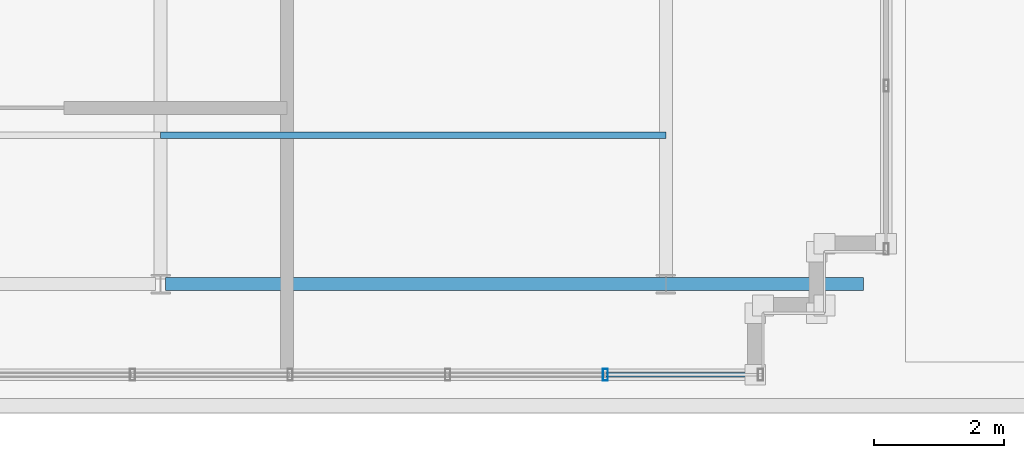
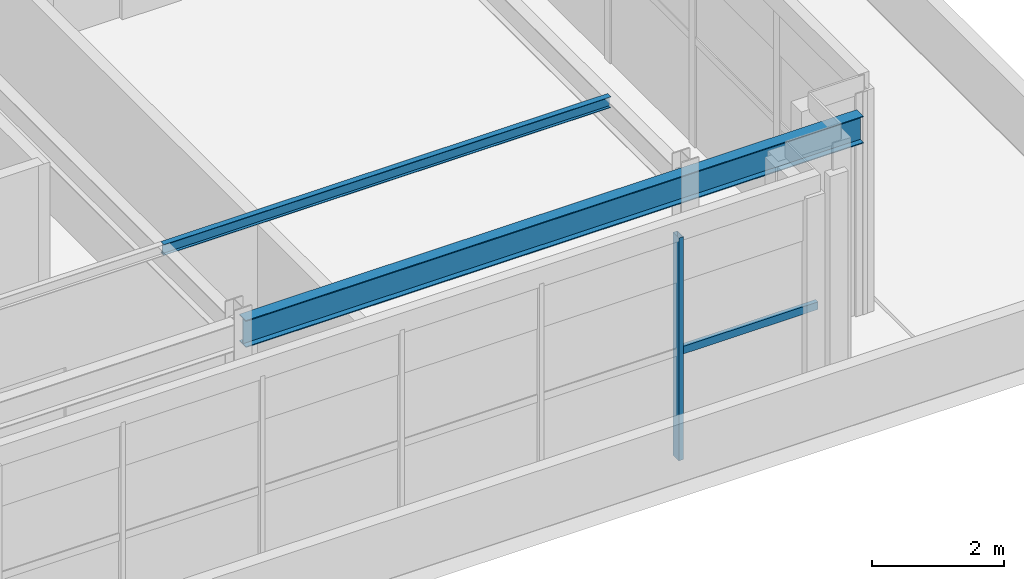
# One storey, part 4 of 28: 3 members, 1 beam, 1 element without a shape of its own.
"""IFC4 building model written with IfcOpenShell, lengths in metres."""

from ifc_helpers import new_model, si_unit, direction, frame, origin, origin_2d, place, context, subcontext, project, spatial, hollow_rectangle, i_section, extrude, source, transform, mapped, material, material_profile, profile_set, type_object, element, aggregate, save


model = new_model("IFC4")

# Units and contexts
model_context = context("Model", 3, precision=1e-05, world=origin(), true_north=direction((0.0, 1.0)))
body_context = subcontext(model_context, "Body", "Model", "MODEL_VIEW")
ifc_project = project(units=[si_unit("LENGTHUNIT", "METRE"), si_unit("AREAUNIT", "SQUARE_METRE"), si_unit("VOLUMEUNIT", "CUBIC_METRE"), si_unit("PLANEANGLEUNIT", "RADIAN"), si_unit("MASSUNIT", "GRAM", prefix="KILO")], contexts=[model_context])

# Site, building, storey
site_placement = place(None, origin())
site = spatial("IfcSite", under=ifc_project, at=site_placement, CompositionType="ELEMENT")
building_placement = place(site_placement, origin())
building = spatial("IfcBuilding", under=site, at=building_placement, Name="Trelvane Seafront Commons", CompositionType="ELEMENT")
storey_placement = place(building_placement, frame((0.0, 0.0, 312.300048828125)))
storey = spatial("IfcBuildingStorey", under=building, at=storey_placement, Name="L81", CompositionType="ELEMENT", Elevation=312.300048828125)

# Beam
ifc_material_1 = material(Name="Steel SM355 (S355)", Category="steel")
ifc_material_profile_1 = material_profile(ifc_material_1, i_section(OverallWidth=0.199951171875, OverallDepth=0.5, WebThickness=0.010009765625, FlangeThickness=0.01611328125, at=origin_2d()), Name="H-500x200x10x16")
ifc_profile_set_1 = profile_set([ifc_material_profile_1], Name="Steel SM355 (S355)")
beam_type = type_object("IfcBeamType", Name="STR-CROWN-FRAME-RING", PredefinedType="SPANDREL", material=ifc_profile_set_1)
shared_shape_1 = source(origin(), body_context, "Body", "SweptSolid", [
    extrude(i_section(OverallWidth=0.199951171875, OverallDepth=0.5, WebThickness=0.010009765625, FlangeThickness=0.01611328125, at=origin_2d()), origin(), (0.0, 0.0, 1.0), 10.77490234375),
])
beam_placement = place(storey_placement, frame((15.675048828125, 18.199951171875, 3.85986328125), z_axis=(1.0, 0.0, 0.0), x_axis=(0.0, 1.0, 0.0)))
element("IfcBeam", 1, at=beam_placement, inside=storey, type_object=beam_type, Name="L81 CROWN FRAME Ring Beam G-02", PredefinedType="SPANDREL", context=body_context, shape_type="MappedRepresentation", body=[
    mapped(shared_shape_1, transform((0.0, 0.0, 0.0), x_axis=(1.0, 0.0, 0.0), y_axis=(0.0, 1.0, 0.0), z_axis=(0.0, 0.0, 1.0), scale=1.0)),
])

# Member
ifc_material_profile_2 = material_profile(ifc_material_1, i_section(OverallWidth=0.10009765625, OverallDepth=0.199951171875, WebThickness=0.005615234375, FlangeThickness=0.008056640625, at=origin_2d()), Name="H-200x100x5.5x8")
ifc_profile_set_2 = profile_set([ifc_material_profile_2], Name="Steel SM355 (S355)")
member_type_1 = type_object("IfcMemberType", Name="STR-PUR-H200", PredefinedType="PURLIN", material=ifc_profile_set_2)
shared_shape_2 = source(origin(), body_context, "Body", "SweptSolid", [
    extrude(i_section(OverallWidth=0.10009765625, OverallDepth=0.199951171875, WebThickness=0.005615234375, FlangeThickness=0.008056640625, at=origin_2d()), origin(), (0.0, 0.0, 1.0), 7.7998046875),
])
member_1_placement = place(storey_placement, frame((15.60009765625, 20.5, 4.010009765625), z_axis=(1.0, 0.0, 0.0), x_axis=(0.0, 1.0, 0.0)))
element("IfcMember", 2, at=member_1_placement, inside=storey, type_object=member_type_1, Name="L81 Crown Roof Purlin PR-1", PredefinedType="PURLIN", context=body_context, shape_type="MappedRepresentation", body=[
    mapped(shared_shape_2, transform((0.0, 0.0, 0.0), x_axis=(1.0, 0.0, 0.0), y_axis=(0.0, 1.0, 0.0), z_axis=(0.0, 0.0, 1.0), scale=1.0)),
])

# Curtain wall, members
ifc_material_2 = material(Name="Anodised pale-silver aluminium", Category="aluminium")
curtain_wall_type = type_object("IfcCurtainWallType", Name="ARCH-CW6-CROWN", PredefinedType="NOTDEFINED", material=ifc_material_2)
curtain_wall_placement = place(storey_placement, origin())
curtain_wall = element("IfcCurtainWall", 3, at=curtain_wall_placement, inside=storey, type_object=curtain_wall_type, Name="CW-L81-0147", PredefinedType="NOTDEFINED")
ifc_material_profile_3 = material_profile(ifc_material_2, hollow_rectangle(XDim=0.080078125, YDim=0.179931640625, WallThickness=0.00439453125, at=origin_2d()), Name="MULL-80x180x4.5")
ifc_profile_set_3 = profile_set([ifc_material_profile_3], Name="Anodised pale-silver aluminium")
member_type_2 = type_object("IfcMemberType", Name="ARCH-CW-MULL-180", PredefinedType="MULLION", material=ifc_profile_set_3)
shared_shape_3 = source(origin(), body_context, "Body", "SweptSolid", [
    extrude(hollow_rectangle(XDim=0.080078125, YDim=0.179931640625, WallThickness=0.00439453125, at=origin_2d()), origin(), (0.0, 0.0, 1.0), 4.10986328125),
])
member_2_placement = place(storey_placement, frame((22.466796875, 16.800048828125, 0.0), z_axis=(0.0, 0.0, 1.0), x_axis=(1.0, 0.0, 0.0)))
member_2 = element("IfcMember", 4, at=member_2_placement, type_object=member_type_2, Name="CW-L81-0147-M01", PredefinedType="MULLION", context=body_context, shape_type="MappedRepresentation", body=[
    mapped(shared_shape_3, transform((0.0, 0.0, 0.0), x_axis=(1.0, 0.0, 0.0), y_axis=(0.0, 1.0, 0.0), z_axis=(0.0, 0.0, 1.0), scale=1.0)),
])
ifc_material_profile_4 = material_profile(ifc_material_2, hollow_rectangle(XDim=0.074951171875, YDim=0.139892578125, WallThickness=0.00390625, at=origin_2d()), Name="TRAN-75x140x4")
ifc_profile_set_4 = profile_set([ifc_material_profile_4], Name="Anodised pale-silver aluminium")
member_type_3 = type_object("IfcMemberType", Name="ARCH-CW-TRAN-140", PredefinedType="USERDEFINED", material=ifc_profile_set_4)
shared_shape_4 = source(origin(), body_context, "Body", "SweptSolid", [
    extrude(hollow_rectangle(XDim=0.074951171875, YDim=0.139892578125, WallThickness=0.00390625, at=origin_2d()), origin(), (0.0, 0.0, 1.0), 2.4091796875),
])
member_3_placement = place(storey_placement, frame((24.887939453125, 16.800048828125, 1.972900390625), z_axis=(-1.0, 0.0, 0.0), x_axis=(0.0, -1.0, 0.0)))
member_3 = element("IfcMember", 5, at=member_3_placement, type_object=member_type_3, Name="CW-L81-0147-T00", ObjectType="TRANSOM", PredefinedType="USERDEFINED", context=body_context, shape_type="MappedRepresentation", body=[
    mapped(shared_shape_4, transform((0.0, 0.0, 0.0), x_axis=(1.0, 0.0, 0.0), y_axis=(0.0, 1.0, 0.0), z_axis=(0.0, 0.0, 1.0), scale=1.0)),
])
aggregate(curtain_wall, [member_2, member_3])

save(model, "model.ifc")
